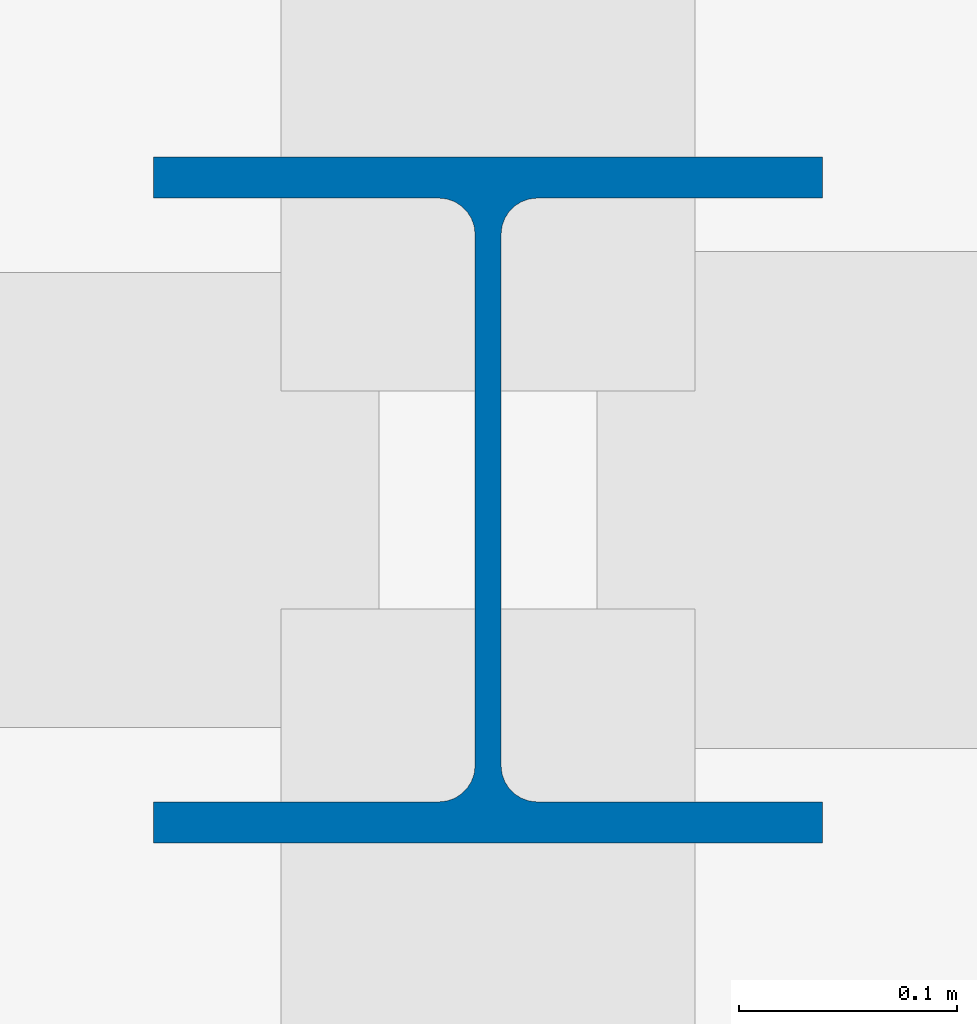
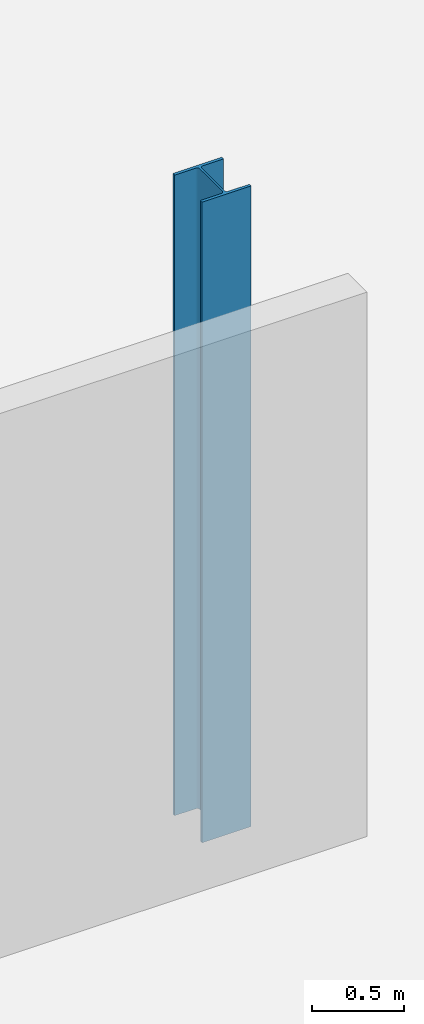
# One storey, part 6 of 85: 1 column.
"""IFC4 building model written with IfcOpenShell, lengths in metres."""

import ifcopenshell
import ifcopenshell.guid

model = None  # the IFC model being written
_history = None  # IfcOwnerHistory: only IFC2X3 demands one
_inside = {}  # id of a spatial element -> (the spatial element, [elements in it])
_under = {}  # id of a project, library or spatial element -> (it, [spatial elements below it])
_declared = {}  # id of a project -> (the project, [libraries it declares])
_typed = {}  # id of a type object -> (the type object, [elements of that type])
_made_of = {}  # id of a material, layer set ... -> (it, [elements and type objects made of it])


def new_model(schema):
    """Start an empty IFC model of exactly this schema.

    Asked for "IFC4X3", IfcOpenShell would pick the latest addendum, in which some entities
    have other attributes; the version numbers below select the first issue.
    IFC2X3 requires an IfcOwnerHistory on every rooted entity: one is made here for all.
    """
    global model, _history
    if schema == "IFC4X3":
        model = ifcopenshell.file(schema_version=(4, 3, 0, 0))
    else:
        model = ifcopenshell.file(schema=schema)
    _inside.clear()
    _under.clear()
    _declared.clear()
    _typed.clear()
    _made_of.clear()
    _history = None
    if model.schema == "IFC2X3":
        org = make("IfcOrganization", Name="unknown")
        user = make(
            "IfcPersonAndOrganization",
            ThePerson=make("IfcPerson", FamilyName="unknown"),
            TheOrganization=org,
        )
        app = make(
            "IfcApplication",
            ApplicationDeveloper=org,
            Version="unknown",
            ApplicationFullName="unknown",
            ApplicationIdentifier="unknown",
        )
        _history = make(
            "IfcOwnerHistory",
            OwningUser=user,
            OwningApplication=app,
            ChangeAction="ADDED",
            CreationDate=0,
        )
    return model


def make(cls, **values):
    """One entity of the class cls with the attributes given. An attribute that is None is left unset."""
    return model.create_entity(
        cls, **{name: value for name, value in values.items() if value is not None}
    )


def rooted(cls, **values):
    """An entity with a GlobalId (a new one), such as an element, a storey or a relation."""
    return make(cls, GlobalId=ifcopenshell.guid.new(), OwnerHistory=_history, **values)


def si_unit(unit_type, name, prefix=None):
    """IfcSIUnit, for example si_unit("LENGTHUNIT", "METRE", prefix="MILLI")."""
    return make("IfcSIUnit", UnitType=unit_type, Prefix=prefix, Name=name)


def assignment(units):
    """IfcUnitAssignment: the units of a project."""
    return None if units is None else make("IfcUnitAssignment", Units=units)


def point(xyz):
    """IfcCartesianPoint."""
    return None if xyz is None else make("IfcCartesianPoint", Coordinates=xyz)


def direction(xyz):
    """IfcDirection."""
    return None if xyz is None else make("IfcDirection", DirectionRatios=xyz)


def frame(location, z_axis=None, x_axis=None):
    """IfcAxis2Placement3D, a coordinate frame: its origin and axes. An axis left out is left unset."""
    return make(
        "IfcAxis2Placement3D",
        Location=point(location),
        Axis=direction(z_axis),
        RefDirection=direction(x_axis),
    )


def frame_2d(location, x_axis=None):
    """IfcAxis2Placement2D, a coordinate frame in the plane: its origin and x axis."""
    return make(
        "IfcAxis2Placement2D", Location=point(location), RefDirection=direction(x_axis)
    )


def origin():
    """The frame at (0, 0, 0) with its axes left unset."""
    return frame((0.0, 0.0, 0.0))


def origin_2d():
    """The frame at (0, 0) in the plane with its x axis left unset."""
    return frame_2d((0.0, 0.0))


def place(relative_to, where):
    """IfcLocalPlacement: puts the frame where relative to a parent placement (None: the world)."""
    return make(
        "IfcLocalPlacement", PlacementRelTo=relative_to, RelativePlacement=where
    )


def context(
    kind, dimensions, precision=None, world=None, true_north=None, identifier=None
):
    """IfcGeometricRepresentationContext, for example the 3D "Model" context."""
    return make(
        "IfcGeometricRepresentationContext",
        ContextIdentifier=identifier,
        ContextType=kind,
        CoordinateSpaceDimension=dimensions,
        Precision=precision,
        WorldCoordinateSystem=world,
        TrueNorth=true_north,
    )


def subcontext(parent, identifier, kind, view, scale=None):
    """IfcGeometricRepresentationSubContext, for example "Body" below "Model"."""
    return make(
        "IfcGeometricRepresentationSubContext",
        ContextIdentifier=identifier,
        ContextType=kind,
        ParentContext=parent,
        TargetScale=scale,
        TargetView=view,
    )


def project(units=None, contexts=None):
    """IfcProject with its units and contexts."""
    return rooted(
        "IfcProject",
        Name="project",
        RepresentationContexts=contexts,
        UnitsInContext=assignment(units),
    )


def spatial(cls, under=None, at=None, **own):
    """A site, building, storey or space (cls), placed at a placement, below another one or the project."""
    s = rooted(cls, ObjectPlacement=at, **own)
    if under is not None:
        _under.setdefault(under.id(), (under, []))[1].append(s)
    return s


def profile(cls, at=None, kind="AREA", **sizes):
    """A parametric profile (cls). Its sizes go by their IFC names, for example OverallWidth=200.0."""
    return make(cls, ProfileType=kind, Position=at, **sizes)


def i_section(**sizes):
    """IfcIShapeProfileDef."""
    return profile("IfcIShapeProfileDef", **sizes)


def extrude(swept, where, along, depth):
    """IfcExtrudedAreaSolid: the profile swept, set in the frame where, extruded along a direction by depth."""
    return make(
        "IfcExtrudedAreaSolid",
        SweptArea=swept,
        Position=where,
        ExtrudedDirection=direction(along),
        Depth=depth,
    )


def shape(context_of_items, identifier, shape_type, items):
    """IfcShapeRepresentation: the items that make up one representation, for example the "Body"."""
    return make(
        "IfcShapeRepresentation",
        ContextOfItems=context_of_items,
        RepresentationIdentifier=identifier,
        RepresentationType=shape_type,
        Items=items,
    )


def material(Name=None, Category=None):
    """IfcMaterial."""
    return make("IfcMaterial", Name=Name, Category=Category)


def material_profile(
    of_material, cross_section, Name=None, Category=None, Priority=None
):
    """IfcMaterialProfile: a cross section and its material."""
    return make(
        "IfcMaterialProfile",
        Name=Name,
        Material=of_material,
        Profile=cross_section,
        Priority=Priority,
        Category=Category,
    )


def profile_set(profiles, Name=None, composite=None):
    """IfcMaterialProfileSet."""
    return make(
        "IfcMaterialProfileSet",
        Name=Name,
        MaterialProfiles=profiles,
        CompositeProfile=composite,
    )


def made_of(thing, what):
    """Note that an element or type object is made of a material, layer set ...; save() writes the relation."""
    if what is not None:
        _made_of.setdefault(what.id(), (what, []))[1].append(thing)
    return thing


def type_object(cls, material=None, **own):
    """A type object (cls), such as IfcWallType, which elements share."""
    return made_of(rooted(cls, **own), material)


def element(
    cls,
    number,
    at=None,
    inside=None,
    cuts=None,
    type_object=None,
    material=None,
    context=None,
    identifier="Body",
    shape_type=None,
    held_by="IfcProductDefinitionShape",
    body=None,
    shapes=None,
    **own,
):
    """One element of the class cls, such as IfcWall. Its Tag is "e" and its number.

    at: its placement. inside: the storey or other place that contains it. cuts: it is an
    opening in that element (IfcRelVoidsElement). A single representation is given by context,
    identifier, shape_type and body (its items); several are given by shapes. held_by: the class
    of the entity that holds the representations. save() writes the other relations.
    """
    e = rooted(cls, Tag="e%d" % number, ObjectPlacement=at, **own)
    if body is not None:
        shapes = [shape(context, identifier, shape_type, body)]
    if shapes is not None:
        e.Representation = make(held_by, Representations=shapes)
    if inside is not None:
        _inside.setdefault(inside.id(), (inside, []))[1].append(e)
    if cuts is not None:
        rooted(
            "IfcRelVoidsElement", RelatingBuildingElement=cuts, RelatedOpeningElement=e
        )
    if type_object is not None:
        _typed.setdefault(type_object.id(), (type_object, []))[1].append(e)
    return made_of(e, material)


def aggregate(whole, parts):
    """IfcRelAggregates: a whole, such as a stair, and the parts it consists of."""
    return rooted("IfcRelAggregates", RelatingObject=whole, RelatedObjects=parts)


def save(model, path):
    """Write the relations noted so far, then the file.

    IfcRelAggregates (storeys below a building ...), IfcRelContainedInSpatialStructure (elements
    in a storey), IfcRelDefinesByType, IfcRelAssociatesMaterial and IfcRelDeclares: one each for
    every whole, place, type object, material and project.
    """
    for whole, parts in _under.values():
        aggregate(whole, parts)
    for where, things in _inside.values():
        rooted(
            "IfcRelContainedInSpatialStructure",
            RelatedElements=things,
            RelatingStructure=where,
        )
    for kind, things in _typed.values():
        rooted("IfcRelDefinesByType", RelatedObjects=things, RelatingType=kind)
    for what, things in _made_of.values():
        rooted("IfcRelAssociatesMaterial", RelatedObjects=things, RelatingMaterial=what)
    for by, libraries in _declared.values():
        rooted("IfcRelDeclares", RelatingContext=by, RelatedDefinitions=libraries)
    model.write(path)


model = new_model("IFC4")

# Units and contexts
model_context = context("Model", 3, precision=1e-05, world=origin(), true_north=direction((0.0, 1.0)))
body_context = subcontext(model_context, "Body", "Model", "MODEL_VIEW")
ifc_project = project(units=[si_unit("LENGTHUNIT", "METRE"), si_unit("AREAUNIT", "SQUARE_METRE"), si_unit("VOLUMEUNIT", "CUBIC_METRE"), si_unit("PLANEANGLEUNIT", "RADIAN"), si_unit("MASSUNIT", "GRAM", prefix="KILO")], contexts=[model_context])

# Site, building, storey
site_placement = place(None, origin())
site = spatial("IfcSite", under=ifc_project, at=site_placement, CompositionType="ELEMENT")
building_placement = place(site_placement, origin())
building = spatial("IfcBuilding", under=site, at=building_placement, Name="Marnock Terrace Opera House", CompositionType="ELEMENT")
storey_placement = place(building_placement, frame((0.0, 0.0, 10.199951171875)))
storey = spatial("IfcBuildingStorey", under=building, at=storey_placement, Name="L02", CompositionType="ELEMENT", Elevation=10.199951171875)

# Column
ifc_material = material(Name="Steel Grade 350 (AS/NZS 3679.1)", Category="steel")
ifc_material_profile = material_profile(ifc_material, i_section(OverallWidth=0.306884765625, OverallDepth=0.314697265625, WebThickness=0.011962890625, FlangeThickness=0.018798828125, FilletRadius=0.0166015625, at=origin_2d()))
ifc_profile_set = profile_set([ifc_material_profile], Name="Steel Grade 350 (AS/NZS 3679.1)")
column_type = type_object("IfcColumnType", Name="COL-UC310C", PredefinedType="COLUMN", material=ifc_profile_set)
column_placement = place(storey_placement, frame((127.0, 32.0, 0.0), z_axis=(0.0, 0.0, 1.0), x_axis=(1.0, 0.0, 0.0)))
element("IfcColumn", 1, at=column_placement, inside=storey, type_object=column_type, Name="L02 column at (127.0, 32.0)", PredefinedType="COLUMN", context=body_context, shape_type="SweptSolid", body=[
    extrude(i_section(OverallWidth=0.306884765625, OverallDepth=0.314697265625, WebThickness=0.011962890625, FlangeThickness=0.018798828125, FilletRadius=0.0166015625, at=origin_2d()), origin(), (0.0, 0.0, 1.0), 4.239990234375),
])

save(model, "model.ifc")
